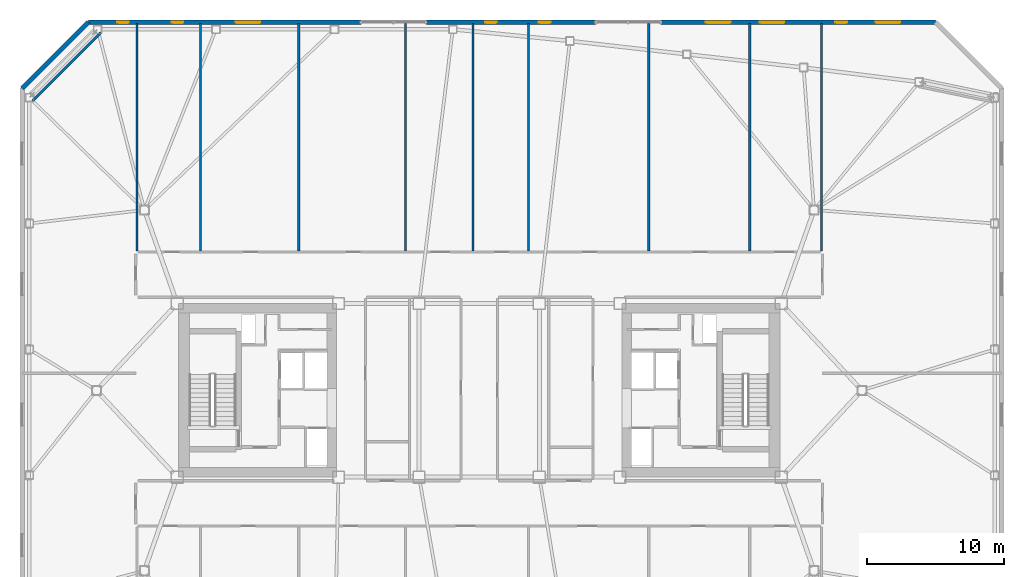
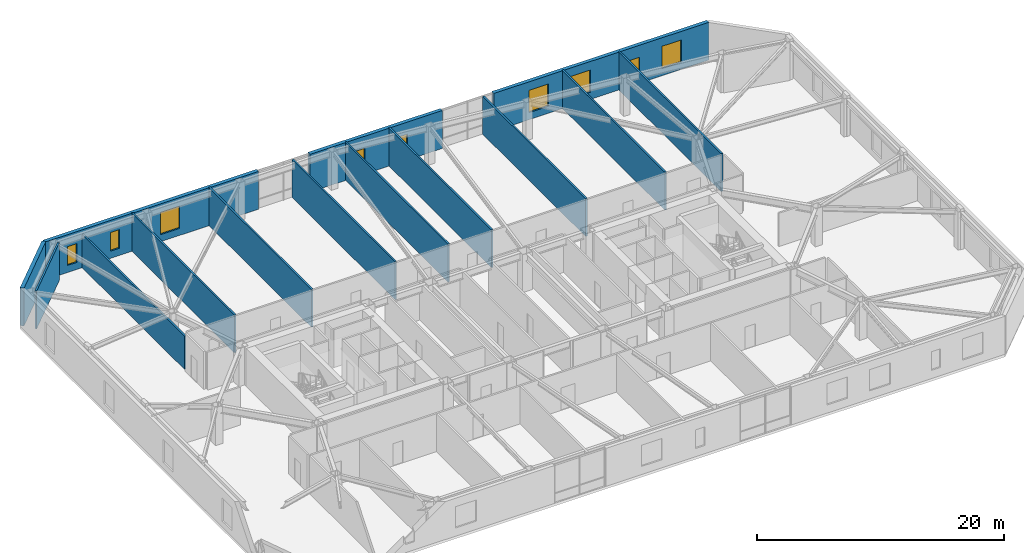
# One storey, part 13 of 18: 14 walls, 9 windows, 9 openings.
"""IFC4 building model written with IfcOpenShell, lengths in metres."""

from ifc_helpers import new_model, si_unit, direction, frame, frame_2d, origin, place, context, subcontext, project, spatial, rectangle, extrude, material, layer, layer_set, type_object, element, fill, save


model = new_model("IFC4")

# Units and contexts
model_context = context("Model", 3, precision=1e-05, world=origin(), true_north=direction((0.0, 1.0)))
body_context = subcontext(model_context, "Body", "Model", "MODEL_VIEW")
ifc_project = project(units=[si_unit("LENGTHUNIT", "METRE"), si_unit("AREAUNIT", "SQUARE_METRE"), si_unit("VOLUMEUNIT", "CUBIC_METRE"), si_unit("PLANEANGLEUNIT", "RADIAN"), si_unit("MASSUNIT", "GRAM", prefix="KILO")], contexts=[model_context])

# Site, building, storey
site_placement = place(None, origin())
site = spatial("IfcSite", under=ifc_project, at=site_placement, CompositionType="ELEMENT")
building_placement = place(site_placement, origin())
building = spatial("IfcBuilding", under=site, at=building_placement, Name="Tavrogorsk Clinical Tower", CompositionType="ELEMENT")
storey_placement = place(building_placement, frame((0.0, 0.0, 192.199951171875)))
storey = spatial("IfcBuildingStorey", under=building, at=storey_placement, Name="L44", CompositionType="ELEMENT", Elevation=192.199951171875)

# Walls
ifc_material_1 = material(Name="Lightweight concrete blockwork B15", Category="masonry")
ifc_layer_1 = layer(ifc_material_1, 0.159912109375)
ifc_layer_set_1 = layer_set([ifc_layer_1], Name="Lightweight concrete blockwork B15")
wall_type_1 = type_object("IfcWallType", Name="PartitionWall_160", PredefinedType="PARTITIONING", material=ifc_layer_set_1)
wall_1_placement = place(storey_placement, frame((-27.6796875, 26.1796875, 0.0), z_axis=(0.0, 0.0, 1.0), x_axis=(-0.707106781187, -0.707106781187, 0.0)))
element("IfcWall", 1, at=wall_1_placement, inside=storey, type_object=wall_type_1, Name="L44 Corner Exoskeleton Brace Furring Wall 3", PredefinedType="PARTITIONING", context=body_context, shape_type="SweptSolid", body=[
    extrude(rectangle(XDim=7.071044921875, YDim=0.159912109375, at=frame_2d((3.53564453125, 0.0))), origin(), (0.0, 0.0, 1.0), 3.739990234375),
])
wall_2_placement = place(storey_placement, frame((-25.050048828125, 10.215087890625, 0.0), z_axis=(0.0, 0.0, 1.0), x_axis=(0.0, 1.0, 0.0)))
element("IfcWall", 2, at=wall_2_placement, inside=storey, type_object=wall_type_1, Name="L44 NW Wing Closure Partition", PredefinedType="PARTITIONING", context=body_context, shape_type="SweptSolid", body=[
    extrude(rectangle(XDim=16.64501953125, YDim=0.159912109375, at=frame_2d((8.322509765625, 0.0))), origin(), (0.0, 0.0, 1.0), 3.28515625),
])
for number, where, z_axis, x_axis, name in (
    (3, (25.050048828125, 10.215087890625, 0.0), (0.0, 0.0, 1.0), (0.0, 1.0, 0.0), "L44 NE Wing Closure Partition"),
    (4, (-20.39990234375, 10.215087890625, 0.0), (0.0, 0.0, 1.0), (0.0, 1.0, 0.0), "L44 North Room Partition 1"),
    (5, (-13.199951171875, 10.215087890625, 0.0), (0.0, 0.0, 1.0), (0.0, 1.0, 0.0), "L44 North Room Partition 2"),
    (6, (-5.39990234375, 10.215087890625, 0.0), (0.0, 0.0, 1.0), (0.0, 1.0, 0.0), "L44 North Room Partition 3"),
    (7, (3.60009765625, 10.215087890625, 0.0), (0.0, 0.0, 1.0), (0.0, 1.0, 0.0), "L44 North Room Partition 4"),
    (8, (12.39990234375, 10.215087890625, 0.0), (0.0, 0.0, 1.0), (0.0, 1.0, 0.0), "L44 North Room Partition 5"),
    (9, (19.800048828125, 10.215087890625, 0.0), (0.0, 0.0, 1.0), (0.0, 1.0, 0.0), "L44 North Room Partition 6"),
    (10, (-0.449951171875, 10.215087890625, 0.0), (0.0, 0.0, 1.0), (0.0, 1.0, 0.0), "L44 North Sub-Partition 4"),
):
    element("IfcWall", number, at=place(storey_placement, frame(where, z_axis=z_axis, x_axis=x_axis)), inside=storey, type_object=wall_type_1, Name=name, PredefinedType="PARTITIONING", context=body_context, shape_type="SweptSolid", body=[
        extrude(rectangle(XDim=16.64501953125, YDim=0.159912109375, at=frame_2d((8.322509765625, 0.0))), origin(), (0.0, 0.0, 1.0), 3.739990234375),
    ])

# Wall, openings, windows
ifc_material_2 = material(Name="Precast concrete B45 with limestone cladding", Category="masonry")
ifc_layer_2 = layer(ifc_material_2, 0.340087890625)
ifc_layer_set_2 = layer_set([ifc_layer_2], Name="Precast concrete B45 with limestone cladding")
wall_type_2 = type_object("IfcWallType", Name="PrecastLimestoneWall_340", PredefinedType="STANDARD", material=ifc_layer_set_2)
wall_3_placement = place(storey_placement, frame((33.39990234375, 26.929931640625, 0.0), z_axis=(0.0, 0.0, 1.0), x_axis=(-1.0, 0.0, 0.0)))
wall_3 = element("IfcWall", 11, at=wall_3_placement, inside=storey, type_object=wall_type_2, Name="L44 N Limestone Facade Wall 1", PredefinedType="STANDARD", context=body_context, shape_type="SweptSolid", body=[
    extrude(rectangle(XDim=20.08984375, YDim=0.340087890625, at=frame_2d((10.044921875, 0.0))), origin(), (0.0, 0.0, 1.0), 3.739990234375),
])
opening_1_placement = place(wall_3_placement, frame((15.0048828125, 0.0, 0.699951171875)))
opening_1 = element("IfcOpeningElement", 12, at=opening_1_placement, cuts=wall_3, Name="Opening WN-04", PredefinedType="OPENING", context=body_context, shape_type="SweptSolid", body=[
    extrude(rectangle(XDim=1.800048828125, YDim=2.199951171875, at=frame_2d((0.89990234375, 1.10009765625))), frame((0.0, 0.179931640625, 0.0), z_axis=(0.0, -1.0, 0.0), x_axis=(1.0, 0.0, 0.0)), (0.0, 0.0, 1.0), 0.360107421875),
])
opening_2_placement = place(wall_3_placement, frame((11.0712890625, 0.0, 0.699951171875)))
opening_2 = element("IfcOpeningElement", 13, at=opening_2_placement, cuts=wall_3, Name="Opening WN-04", PredefinedType="OPENING", context=body_context, shape_type="SweptSolid", body=[
    extrude(rectangle(XDim=1.800048828125, YDim=2.199951171875, at=frame_2d((0.89990234375, 1.10009765625))), frame((0.0, 0.179931640625, 0.0), z_axis=(0.0, -1.0, 0.0), x_axis=(1.0, 0.0, 0.0)), (0.0, 0.0, 1.0), 0.360107421875),
])
opening_3_placement = place(wall_3_placement, frame((6.479736328125, 0.0, 0.699951171875)))
opening_3 = element("IfcOpeningElement", 14, at=opening_3_placement, cuts=wall_3, Name="Opening WN-06", PredefinedType="OPENING", context=body_context, shape_type="SweptSolid", body=[
    extrude(rectangle(XDim=0.85009765625, YDim=1.85009765625, at=frame_2d((0.425048828125, 0.925048828125))), frame((0.0, 0.179931640625, 0.0), z_axis=(0.0, -1.0, 0.0), x_axis=(1.0, 0.0, 0.0)), (0.0, 0.0, 1.0), 0.360107421875),
])
opening_4_placement = place(wall_3_placement, frame((2.591064453125, 0.0, 0.699951171875)))
opening_4 = element("IfcOpeningElement", 15, at=opening_4_placement, cuts=wall_3, Name="Opening WN-04", PredefinedType="OPENING", context=body_context, shape_type="SweptSolid", body=[
    extrude(rectangle(XDim=1.800048828125, YDim=2.199951171875, at=frame_2d((0.89990234375, 1.10009765625))), frame((0.0, 0.179931640625, 0.0), z_axis=(0.0, -1.0, 0.0), x_axis=(1.0, 0.0, 0.0)), (0.0, 0.0, 1.0), 0.360107421875),
])
ifc_material_3 = material(Name="Thermally broken aluminium frame and triple IGU", Category="aluminium")
window_type_1 = type_object("IfcWindowType", Name="IsolationWin_1800x2200", PartitioningType="SINGLE_PANEL", PredefinedType="WINDOW", material=ifc_material_3)
window_1_placement = place(opening_1_placement, origin())
window_1 = element("IfcWindow", 16, at=window_1_placement, inside=storey, type_object=window_type_1, Name="L44 N Chicago Window 07", OverallHeight=2.199951171875, OverallWidth=1.800048828125, PartitioningType="SINGLE_PANEL", PredefinedType="WINDOW", context=body_context, shape_type="SweptSolid", body=[
    extrude(rectangle(XDim=1.800048828125, YDim=2.199951171875, at=frame_2d((0.89990234375, 1.10009765625))), frame((0.0, 0.030029296875, 0.0), z_axis=(0.0, -1.0, 0.0), x_axis=(1.0, 0.0, 0.0)), (0.0, 0.0, 1.0), 0.06005859375),
])
fill(opening_1, window_1)
window_2_placement = place(opening_2_placement, origin())
window_2 = element("IfcWindow", 17, at=window_2_placement, inside=storey, type_object=window_type_1, Name="L44 N Chicago Window 08", OverallHeight=2.199951171875, OverallWidth=1.800048828125, PartitioningType="SINGLE_PANEL", PredefinedType="WINDOW", context=body_context, shape_type="SweptSolid", body=[
    extrude(rectangle(XDim=1.800048828125, YDim=2.199951171875, at=frame_2d((0.89990234375, 1.10009765625))), frame((0.0, 0.030029296875, 0.0), z_axis=(0.0, -1.0, 0.0), x_axis=(1.0, 0.0, 0.0)), (0.0, 0.0, 1.0), 0.06005859375),
])
fill(opening_2, window_2)
window_3_placement = place(opening_4_placement, origin())
window_3 = element("IfcWindow", 18, at=window_3_placement, inside=storey, type_object=window_type_1, Name="L44 N Chicago Window 10", OverallHeight=2.199951171875, OverallWidth=1.800048828125, PartitioningType="SINGLE_PANEL", PredefinedType="WINDOW", context=body_context, shape_type="SweptSolid", body=[
    extrude(rectangle(XDim=1.800048828125, YDim=2.199951171875, at=frame_2d((0.89990234375, 1.10009765625))), frame((0.0, 0.030029296875, 0.0), z_axis=(0.0, -1.0, 0.0), x_axis=(1.0, 0.0, 0.0)), (0.0, 0.0, 1.0), 0.06005859375),
])
fill(opening_4, window_3)
ifc_material_4 = material(Name="Thermally broken aluminium frame and triple IGU", Category="aluminium")
window_type_2 = type_object("IfcWindowType", Name="MullionSubWin_850x1850", PartitioningType="SINGLE_PANEL", PredefinedType="WINDOW", material=ifc_material_4)
window_4_placement = place(opening_3_placement, origin())
window_4 = element("IfcWindow", 19, at=window_4_placement, inside=storey, type_object=window_type_2, Name="L44 N Mullion Split Window 09A", OverallHeight=1.85009765625, OverallWidth=0.85009765625, PartitioningType="SINGLE_PANEL", PredefinedType="WINDOW", context=body_context, shape_type="SweptSolid", body=[
    extrude(rectangle(XDim=0.85009765625, YDim=1.85009765625, at=frame_2d((0.425048828125, 0.925048828125))), frame((0.0, 0.030029296875, 0.0), z_axis=(0.0, -1.0, 0.0), x_axis=(1.0, 0.0, 0.0)), (0.0, 0.0, 1.0), 0.06005859375),
])
fill(opening_3, window_4)

wall_4_placement = place(storey_placement, frame((8.510009765625, 26.929931640625, 0.0), z_axis=(0.0, 0.0, 1.0), x_axis=(-1.0, 0.0, 0.0)))
wall_4 = element("IfcWall", 20, at=wall_4_placement, inside=storey, type_object=wall_type_2, Name="L44 N Limestone Facade Wall 2", PredefinedType="STANDARD", context=body_context, shape_type="SweptSolid", body=[
    extrude(rectangle(XDim=12.372802734375, YDim=0.340087890625, at=frame_2d((6.1865234375, 0.0))), origin(), (0.0, 0.0, 1.0), 3.739990234375),
])
opening_5_placement = place(wall_4_placement, frame((7.228759765625, 0.0, 0.699951171875)))
opening_5 = element("IfcOpeningElement", 21, at=opening_5_placement, cuts=wall_4, Name="Opening WN-06", PredefinedType="OPENING", context=body_context, shape_type="SweptSolid", body=[
    extrude(rectangle(XDim=0.85009765625, YDim=1.85009765625, at=frame_2d((0.425048828125, 0.925048828125))), frame((0.0, 0.179931640625, 0.0), z_axis=(0.0, -1.0, 0.0), x_axis=(1.0, 0.0, 0.0)), (0.0, 0.0, 1.0), 0.360107421875),
])
opening_6_placement = place(wall_4_placement, frame((3.28857421875, 0.0, 0.699951171875)))
opening_6 = element("IfcOpeningElement", 22, at=opening_6_placement, cuts=wall_4, Name="Opening WN-06", PredefinedType="OPENING", context=body_context, shape_type="SweptSolid", body=[
    extrude(rectangle(XDim=0.85009765625, YDim=1.85009765625, at=frame_2d((0.425048828125, 0.925048828125))), frame((0.0, 0.179931640625, 0.0), z_axis=(0.0, -1.0, 0.0), x_axis=(1.0, 0.0, 0.0)), (0.0, 0.0, 1.0), 0.360107421875),
])
window_5_placement = place(opening_5_placement, origin())
window_5 = element("IfcWindow", 23, at=window_5_placement, inside=storey, type_object=window_type_2, Name="L44 N Mullion Split Window 05A", OverallHeight=1.85009765625, OverallWidth=0.85009765625, PartitioningType="SINGLE_PANEL", PredefinedType="WINDOW", context=body_context, shape_type="SweptSolid", body=[
    extrude(rectangle(XDim=0.85009765625, YDim=1.85009765625, at=frame_2d((0.425048828125, 0.925048828125))), frame((0.0, 0.030029296875, 0.0), z_axis=(0.0, -1.0, 0.0), x_axis=(1.0, 0.0, 0.0)), (0.0, 0.0, 1.0), 0.06005859375),
])
fill(opening_5, window_5)
window_6_placement = place(opening_6_placement, origin())
window_6 = element("IfcWindow", 24, at=window_6_placement, inside=storey, type_object=window_type_2, Name="L44 N Mullion Split Window 06A", OverallHeight=1.85009765625, OverallWidth=0.85009765625, PartitioningType="SINGLE_PANEL", PredefinedType="WINDOW", context=body_context, shape_type="SweptSolid", body=[
    extrude(rectangle(XDim=0.85009765625, YDim=1.85009765625, at=frame_2d((0.425048828125, 0.925048828125))), frame((0.0, 0.030029296875, 0.0), z_axis=(0.0, -1.0, 0.0), x_axis=(1.0, 0.0, 0.0)), (0.0, 0.0, 1.0), 0.06005859375),
])
fill(opening_6, window_6)

wall_5_placement = place(storey_placement, frame((-8.662841796875, 26.929931640625, 0.0), z_axis=(0.0, 0.0, 1.0), x_axis=(-1.0, 0.0, 0.0)))
wall_5 = element("IfcWall", 25, at=wall_5_placement, inside=storey, type_object=wall_type_2, Name="L44 N Limestone Facade Wall 3", PredefinedType="STANDARD", context=body_context, shape_type="SweptSolid", body=[
    extrude(rectangle(XDim=19.937255859375, YDim=0.340087890625, at=frame_2d((9.96875, 0.0))), origin(), (0.0, 0.0, 1.0), 3.739990234375),
])
opening_7_placement = place(wall_5_placement, frame((16.96826171875, 0.0, 0.699951171875)))
opening_7 = element("IfcOpeningElement", 26, at=opening_7_placement, cuts=wall_5, Name="Opening WN-06", PredefinedType="OPENING", context=body_context, shape_type="SweptSolid", body=[
    extrude(rectangle(XDim=0.85009765625, YDim=1.85009765625, at=frame_2d((0.425048828125, 0.925048828125))), frame((0.0, 0.179931640625, 0.0), z_axis=(0.0, -1.0, 0.0), x_axis=(1.0, 0.0, 0.0)), (0.0, 0.0, 1.0), 0.360107421875),
])
opening_8_placement = place(wall_5_placement, frame((12.9833984375, 0.0, 0.699951171875)))
opening_8 = element("IfcOpeningElement", 27, at=opening_8_placement, cuts=wall_5, Name="Opening WN-06", PredefinedType="OPENING", context=body_context, shape_type="SweptSolid", body=[
    extrude(rectangle(XDim=0.85009765625, YDim=1.85009765625, at=frame_2d((0.425048828125, 0.925048828125))), frame((0.0, 0.179931640625, 0.0), z_axis=(0.0, -1.0, 0.0), x_axis=(1.0, 0.0, 0.0)), (0.0, 0.0, 1.0), 0.360107421875),
])
opening_9_placement = place(wall_5_placement, frame((7.355224609375, 0.0, 0.699951171875)))
opening_9 = element("IfcOpeningElement", 28, at=opening_9_placement, cuts=wall_5, Name="Opening WN-04", PredefinedType="OPENING", context=body_context, shape_type="SweptSolid", body=[
    extrude(rectangle(XDim=1.800048828125, YDim=2.199951171875, at=frame_2d((0.89990234375, 1.10009765625))), frame((0.0, 0.179931640625, 0.0), z_axis=(0.0, -1.0, 0.0), x_axis=(1.0, 0.0, 0.0)), (0.0, 0.0, 1.0), 0.360107421875),
])
window_7_placement = place(opening_9_placement, origin())
window_7 = element("IfcWindow", 29, at=window_7_placement, inside=storey, type_object=window_type_1, Name="L44 N Chicago Window 03", OverallHeight=2.199951171875, OverallWidth=1.800048828125, PartitioningType="SINGLE_PANEL", PredefinedType="WINDOW", context=body_context, shape_type="SweptSolid", body=[
    extrude(rectangle(XDim=1.800048828125, YDim=2.199951171875, at=frame_2d((0.89990234375, 1.10009765625))), frame((0.0, 0.030029296875, 0.0), z_axis=(0.0, -1.0, 0.0), x_axis=(1.0, 0.0, 0.0)), (0.0, 0.0, 1.0), 0.06005859375),
])
fill(opening_9, window_7)
window_8_placement = place(opening_7_placement, origin())
window_8 = element("IfcWindow", 30, at=window_8_placement, inside=storey, type_object=window_type_2, Name="L44 N Mullion Split Window 01B", OverallHeight=1.85009765625, OverallWidth=0.85009765625, PartitioningType="SINGLE_PANEL", PredefinedType="WINDOW", context=body_context, shape_type="SweptSolid", body=[
    extrude(rectangle(XDim=0.85009765625, YDim=1.85009765625, at=frame_2d((0.425048828125, 0.925048828125))), frame((0.0, 0.030029296875, 0.0), z_axis=(0.0, -1.0, 0.0), x_axis=(1.0, 0.0, 0.0)), (0.0, 0.0, 1.0), 0.06005859375),
])
fill(opening_7, window_8)
window_9_placement = place(opening_8_placement, origin())
window_9 = element("IfcWindow", 31, at=window_9_placement, inside=storey, type_object=window_type_2, Name="L44 N Mullion Split Window 02B", OverallHeight=1.85009765625, OverallWidth=0.85009765625, PartitioningType="SINGLE_PANEL", PredefinedType="WINDOW", context=body_context, shape_type="SweptSolid", body=[
    extrude(rectangle(XDim=0.85009765625, YDim=1.85009765625, at=frame_2d((0.425048828125, 0.925048828125))), frame((0.0, 0.030029296875, 0.0), z_axis=(0.0, -1.0, 0.0), x_axis=(1.0, 0.0, 0.0)), (0.0, 0.0, 1.0), 0.06005859375),
])
fill(opening_8, window_9)

# Wall
wall_6_placement = place(storey_placement, frame((-28.60009765625, 26.929931640625, 0.0), z_axis=(0.0, 0.0, 1.0), x_axis=(-0.707106781187, -0.707106781187, 0.0)))
element("IfcWall", 32, at=wall_6_placement, inside=storey, type_object=wall_type_2, Name="L44 Chamfered Corner Wall 3", PredefinedType="STANDARD", context=body_context, shape_type="SweptSolid", body=[
    extrude(rectangle(XDim=6.830322265625, YDim=0.340087890625, at=frame_2d((3.4150390625, 0.0))), origin(), (0.0, 0.0, 1.0), 3.739990234375),
])

save(model, "model.ifc")
